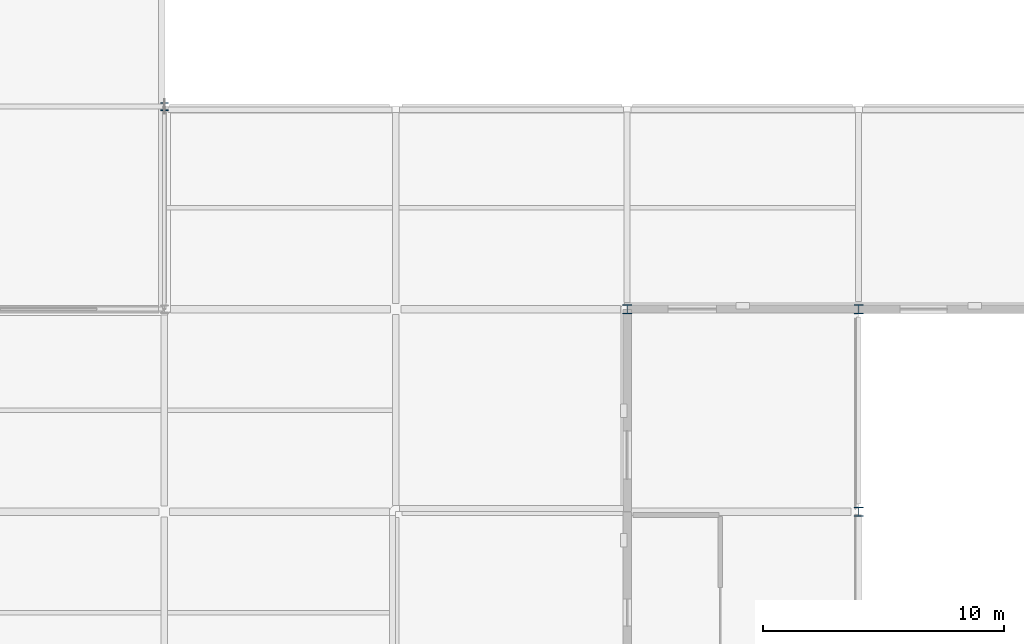
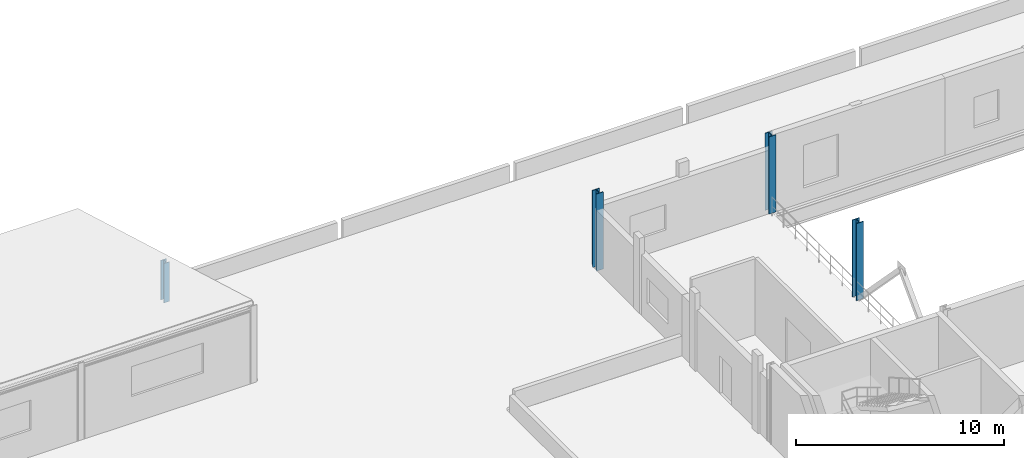
# One storey, part 7 of 52: 4 columns.
"""IFC4 building model written with IfcOpenShell, lengths in metres."""

from ifc_helpers import new_model, si_unit, direction, frame, origin, origin_2d, place, context, subcontext, project, spatial, i_section, extrude, material, material_profile, profile_set, type_object, element, save


model = new_model("IFC4")

# Units and contexts
model_context = context("Model", 3, precision=1e-05, world=origin(), true_north=direction((0.0, 1.0)))
body_context = subcontext(model_context, "Body", "Model", "MODEL_VIEW")
ifc_project = project(units=[si_unit("LENGTHUNIT", "METRE"), si_unit("AREAUNIT", "SQUARE_METRE"), si_unit("VOLUMEUNIT", "CUBIC_METRE"), si_unit("PLANEANGLEUNIT", "RADIAN"), si_unit("MASSUNIT", "GRAM", prefix="KILO")], contexts=[model_context])

# Site, building, storey
site_placement = place(None, origin())
site = spatial("IfcSite", under=ifc_project, at=site_placement, CompositionType="ELEMENT")
building_placement = place(site_placement, origin())
building = spatial("IfcBuilding", under=site, at=building_placement, Name="Lornevale Opera House", CompositionType="ELEMENT")
storey_placement = place(building_placement, frame((0.0, 0.0, 15.0)))
storey = spatial("IfcBuildingStorey", under=building, at=storey_placement, Name="L04", CompositionType="ELEMENT", Elevation=15.0)

# Columns
ifc_material = material(Name="Structural Steel CSA G40.21 Grade 350W (350 MPa)", Category="steel")
ifc_material_profile_1 = material_profile(ifc_material, i_section(OverallWidth=0.30908203125, OverallDepth=0.322998046875, WebThickness=0.013916015625, FlangeThickness=0.02294921875, at=origin_2d()), Name="W310x143")
ifc_profile_set_1 = profile_set([ifc_material_profile_1], Name="Structural Steel CSA G40.21 Grade 350W (350 MPa)")
column_type_1 = type_object("IfcColumnType", Name="Steel Clerestory Post W310x143", PredefinedType="COLUMN", material=ifc_profile_set_1)
column_1_placement = place(storey_placement, frame((38.39990234375, 92.39990234375, -0.27001953125), z_axis=(0.0, 0.0, 1.0), x_axis=(1.0, 0.0, 0.0)))
element("IfcColumn", 1, at=column_1_placement, inside=storey, type_object=column_type_1, Name="Studio Clerestory Post 1165", PredefinedType="COLUMN", context=body_context, shape_type="SweptSolid", body=[
    extrude(i_section(OverallWidth=0.30908203125, OverallDepth=0.322998046875, WebThickness=0.013916015625, FlangeThickness=0.02294921875, at=origin_2d()), origin(), (0.0, 0.0, 1.0), 2.320068359375),
])
ifc_material_profile_2 = material_profile(ifc_material, i_section(OverallWidth=0.39599609375, OverallDepth=0.386962890625, WebThickness=0.02490234375, FlangeThickness=0.0380859375, at=origin_2d()), Name="W360x262")
ifc_profile_set_2 = profile_set([ifc_material_profile_2], Name="Structural Steel CSA G40.21 Grade 350W (350 MPa)")
column_type_2 = type_object("IfcColumnType", Name="Steel Stagehouse Column W360x262", PredefinedType="COLUMN", material=ifc_profile_set_2)
column_2_placement = place(storey_placement, frame((57.60009765625, 84.0, 0.0), z_axis=(0.0, 0.0, 1.0), x_axis=(1.0, 0.0, 0.0)))
element("IfcColumn", 2, at=column_2_placement, inside=storey, type_object=column_type_2, Name="Steel Stagehouse Column W360x262 0400", PredefinedType="COLUMN", context=body_context, shape_type="SweptSolid", body=[
    extrude(i_section(OverallWidth=0.39599609375, OverallDepth=0.386962890625, WebThickness=0.02490234375, FlangeThickness=0.0380859375, at=origin_2d()), origin(), (0.0, 0.0, 1.0), 4.530029296875),
])
ifc_material_profile_3 = material_profile(ifc_material, i_section(OverallWidth=0.39892578125, OverallDepth=0.39892578125, WebThickness=0.02978515625, FlangeThickness=0.0390625, at=origin_2d()), Name="W360x314")
ifc_profile_set_3 = profile_set([ifc_material_profile_3], Name="Structural Steel CSA G40.21 Grade 350W (350 MPa)")
column_type_3 = type_object("IfcColumnType", Name="Steel Stagehouse Column W360x314", PredefinedType="COLUMN", material=ifc_profile_set_3)
for number, where, z_axis, x_axis, name in (
    (3, (67.199951171875, 75.60009765625, 0.0), (0.0, 0.0, 1.0), (1.0, 0.0, 0.0), "Steel Stagehouse Column W360x314 0472"),
    (4, (67.199951171875, 84.0, 0.0), (0.0, 0.0, 1.0), (1.0, 0.0, 0.0), "Steel Stagehouse Column W360x314 0480"),
):
    element("IfcColumn", number, at=place(storey_placement, frame(where, z_axis=z_axis, x_axis=x_axis)), inside=storey, type_object=column_type_3, Name=name, PredefinedType="COLUMN", context=body_context, shape_type="SweptSolid", body=[
        extrude(i_section(OverallWidth=0.39892578125, OverallDepth=0.39892578125, WebThickness=0.02978515625, FlangeThickness=0.0390625, at=origin_2d()), origin(), (0.0, 0.0, 1.0), 4.530029296875),
    ])

save(model, "model.ifc")
